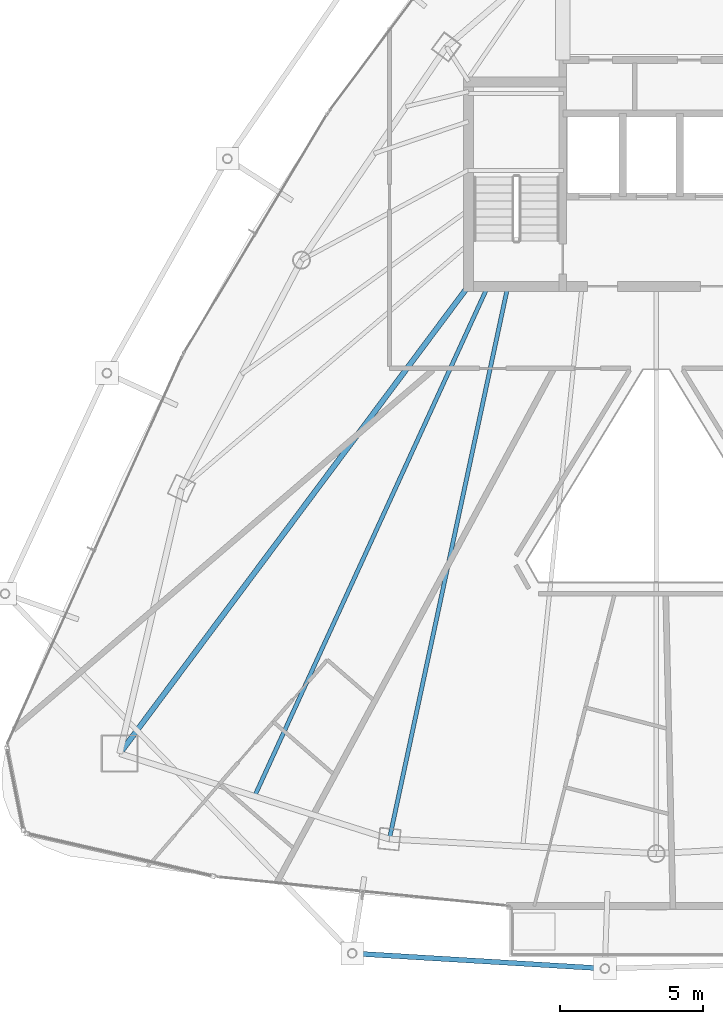
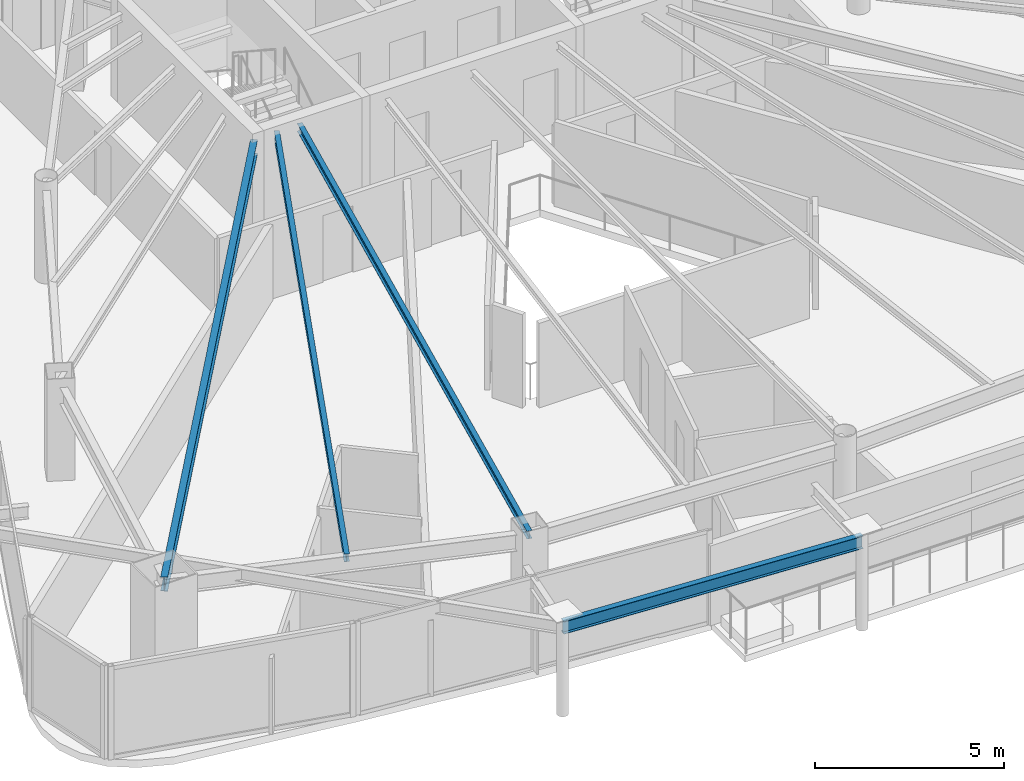
# One storey, part 6 of 30: 4 beams.
"""IFC4 building model written with IfcOpenShell, lengths in metres."""

import ifcopenshell
import ifcopenshell.guid

model = None  # the IFC model being written
_history = None  # IfcOwnerHistory: only IFC2X3 demands one
_inside = {}  # id of a spatial element -> (the spatial element, [elements in it])
_under = {}  # id of a project, library or spatial element -> (it, [spatial elements below it])
_declared = {}  # id of a project -> (the project, [libraries it declares])
_typed = {}  # id of a type object -> (the type object, [elements of that type])
_made_of = {}  # id of a material, layer set ... -> (it, [elements and type objects made of it])


def new_model(schema):
    """Start an empty IFC model of exactly this schema.

    Asked for "IFC4X3", IfcOpenShell would pick the latest addendum, in which some entities
    have other attributes; the version numbers below select the first issue.
    IFC2X3 requires an IfcOwnerHistory on every rooted entity: one is made here for all.
    """
    global model, _history
    if schema == "IFC4X3":
        model = ifcopenshell.file(schema_version=(4, 3, 0, 0))
    else:
        model = ifcopenshell.file(schema=schema)
    _inside.clear()
    _under.clear()
    _declared.clear()
    _typed.clear()
    _made_of.clear()
    _history = None
    if model.schema == "IFC2X3":
        org = make("IfcOrganization", Name="unknown")
        user = make(
            "IfcPersonAndOrganization",
            ThePerson=make("IfcPerson", FamilyName="unknown"),
            TheOrganization=org,
        )
        app = make(
            "IfcApplication",
            ApplicationDeveloper=org,
            Version="unknown",
            ApplicationFullName="unknown",
            ApplicationIdentifier="unknown",
        )
        _history = make(
            "IfcOwnerHistory",
            OwningUser=user,
            OwningApplication=app,
            ChangeAction="ADDED",
            CreationDate=0,
        )
    return model


def make(cls, **values):
    """One entity of the class cls with the attributes given. An attribute that is None is left unset."""
    return model.create_entity(
        cls, **{name: value for name, value in values.items() if value is not None}
    )


def rooted(cls, **values):
    """An entity with a GlobalId (a new one), such as an element, a storey or a relation."""
    return make(cls, GlobalId=ifcopenshell.guid.new(), OwnerHistory=_history, **values)


def si_unit(unit_type, name, prefix=None):
    """IfcSIUnit, for example si_unit("LENGTHUNIT", "METRE", prefix="MILLI")."""
    return make("IfcSIUnit", UnitType=unit_type, Prefix=prefix, Name=name)


def assignment(units):
    """IfcUnitAssignment: the units of a project."""
    return None if units is None else make("IfcUnitAssignment", Units=units)


def point(xyz):
    """IfcCartesianPoint."""
    return None if xyz is None else make("IfcCartesianPoint", Coordinates=xyz)


def direction(xyz):
    """IfcDirection."""
    return None if xyz is None else make("IfcDirection", DirectionRatios=xyz)


def frame(location, z_axis=None, x_axis=None):
    """IfcAxis2Placement3D, a coordinate frame: its origin and axes. An axis left out is left unset."""
    return make(
        "IfcAxis2Placement3D",
        Location=point(location),
        Axis=direction(z_axis),
        RefDirection=direction(x_axis),
    )


def frame_2d(location, x_axis=None):
    """IfcAxis2Placement2D, a coordinate frame in the plane: its origin and x axis."""
    return make(
        "IfcAxis2Placement2D", Location=point(location), RefDirection=direction(x_axis)
    )


def origin():
    """The frame at (0, 0, 0) with its axes left unset."""
    return frame((0.0, 0.0, 0.0))


def origin_2d():
    """The frame at (0, 0) in the plane with its x axis left unset."""
    return frame_2d((0.0, 0.0))


def place(relative_to, where):
    """IfcLocalPlacement: puts the frame where relative to a parent placement (None: the world)."""
    return make(
        "IfcLocalPlacement", PlacementRelTo=relative_to, RelativePlacement=where
    )


def context(
    kind, dimensions, precision=None, world=None, true_north=None, identifier=None
):
    """IfcGeometricRepresentationContext, for example the 3D "Model" context."""
    return make(
        "IfcGeometricRepresentationContext",
        ContextIdentifier=identifier,
        ContextType=kind,
        CoordinateSpaceDimension=dimensions,
        Precision=precision,
        WorldCoordinateSystem=world,
        TrueNorth=true_north,
    )


def subcontext(parent, identifier, kind, view, scale=None):
    """IfcGeometricRepresentationSubContext, for example "Body" below "Model"."""
    return make(
        "IfcGeometricRepresentationSubContext",
        ContextIdentifier=identifier,
        ContextType=kind,
        ParentContext=parent,
        TargetScale=scale,
        TargetView=view,
    )


def project(units=None, contexts=None):
    """IfcProject with its units and contexts."""
    return rooted(
        "IfcProject",
        Name="project",
        RepresentationContexts=contexts,
        UnitsInContext=assignment(units),
    )


def spatial(cls, under=None, at=None, **own):
    """A site, building, storey or space (cls), placed at a placement, below another one or the project."""
    s = rooted(cls, ObjectPlacement=at, **own)
    if under is not None:
        _under.setdefault(under.id(), (under, []))[1].append(s)
    return s


def profile(cls, at=None, kind="AREA", **sizes):
    """A parametric profile (cls). Its sizes go by their IFC names, for example OverallWidth=200.0."""
    return make(cls, ProfileType=kind, Position=at, **sizes)


def i_section(**sizes):
    """IfcIShapeProfileDef."""
    return profile("IfcIShapeProfileDef", **sizes)


def extrude(swept, where, along, depth):
    """IfcExtrudedAreaSolid: the profile swept, set in the frame where, extruded along a direction by depth."""
    return make(
        "IfcExtrudedAreaSolid",
        SweptArea=swept,
        Position=where,
        ExtrudedDirection=direction(along),
        Depth=depth,
    )


def shape(context_of_items, identifier, shape_type, items):
    """IfcShapeRepresentation: the items that make up one representation, for example the "Body"."""
    return make(
        "IfcShapeRepresentation",
        ContextOfItems=context_of_items,
        RepresentationIdentifier=identifier,
        RepresentationType=shape_type,
        Items=items,
    )


def material(Name=None, Category=None):
    """IfcMaterial."""
    return make("IfcMaterial", Name=Name, Category=Category)


def material_profile(
    of_material, cross_section, Name=None, Category=None, Priority=None
):
    """IfcMaterialProfile: a cross section and its material."""
    return make(
        "IfcMaterialProfile",
        Name=Name,
        Material=of_material,
        Profile=cross_section,
        Priority=Priority,
        Category=Category,
    )


def profile_set(profiles, Name=None, composite=None):
    """IfcMaterialProfileSet."""
    return make(
        "IfcMaterialProfileSet",
        Name=Name,
        MaterialProfiles=profiles,
        CompositeProfile=composite,
    )


def made_of(thing, what):
    """Note that an element or type object is made of a material, layer set ...; save() writes the relation."""
    if what is not None:
        _made_of.setdefault(what.id(), (what, []))[1].append(thing)
    return thing


def type_object(cls, material=None, **own):
    """A type object (cls), such as IfcWallType, which elements share."""
    return made_of(rooted(cls, **own), material)


def element(
    cls,
    number,
    at=None,
    inside=None,
    cuts=None,
    type_object=None,
    material=None,
    context=None,
    identifier="Body",
    shape_type=None,
    held_by="IfcProductDefinitionShape",
    body=None,
    shapes=None,
    **own,
):
    """One element of the class cls, such as IfcWall. Its Tag is "e" and its number.

    at: its placement. inside: the storey or other place that contains it. cuts: it is an
    opening in that element (IfcRelVoidsElement). A single representation is given by context,
    identifier, shape_type and body (its items); several are given by shapes. held_by: the class
    of the entity that holds the representations. save() writes the other relations.
    """
    e = rooted(cls, Tag="e%d" % number, ObjectPlacement=at, **own)
    if body is not None:
        shapes = [shape(context, identifier, shape_type, body)]
    if shapes is not None:
        e.Representation = make(held_by, Representations=shapes)
    if inside is not None:
        _inside.setdefault(inside.id(), (inside, []))[1].append(e)
    if cuts is not None:
        rooted(
            "IfcRelVoidsElement", RelatingBuildingElement=cuts, RelatedOpeningElement=e
        )
    if type_object is not None:
        _typed.setdefault(type_object.id(), (type_object, []))[1].append(e)
    return made_of(e, material)


def aggregate(whole, parts):
    """IfcRelAggregates: a whole, such as a stair, and the parts it consists of."""
    return rooted("IfcRelAggregates", RelatingObject=whole, RelatedObjects=parts)


def save(model, path):
    """Write the relations noted so far, then the file.

    IfcRelAggregates (storeys below a building ...), IfcRelContainedInSpatialStructure (elements
    in a storey), IfcRelDefinesByType, IfcRelAssociatesMaterial and IfcRelDeclares: one each for
    every whole, place, type object, material and project.
    """
    for whole, parts in _under.values():
        aggregate(whole, parts)
    for where, things in _inside.values():
        rooted(
            "IfcRelContainedInSpatialStructure",
            RelatedElements=things,
            RelatingStructure=where,
        )
    for kind, things in _typed.values():
        rooted("IfcRelDefinesByType", RelatedObjects=things, RelatingType=kind)
    for what, things in _made_of.values():
        rooted("IfcRelAssociatesMaterial", RelatedObjects=things, RelatingMaterial=what)
    for by, libraries in _declared.values():
        rooted("IfcRelDeclares", RelatingContext=by, RelatedDefinitions=libraries)
    model.write(path)


model = new_model("IFC4")

# Units and contexts
model_context = context("Model", 3, precision=1e-05, world=origin(), true_north=direction((0.0, 1.0)))
body_context = subcontext(model_context, "Body", "Model", "MODEL_VIEW")
ifc_project = project(units=[si_unit("LENGTHUNIT", "METRE"), si_unit("AREAUNIT", "SQUARE_METRE"), si_unit("VOLUMEUNIT", "CUBIC_METRE"), si_unit("PLANEANGLEUNIT", "RADIAN"), si_unit("MASSUNIT", "GRAM", prefix="KILO")], contexts=[model_context])

# Site, building, storey
site_placement = place(None, origin())
site = spatial("IfcSite", under=ifc_project, at=site_placement, CompositionType="ELEMENT")
building_placement = place(site_placement, origin())
building = spatial("IfcBuilding", under=site, at=building_placement, Name="Orvanel Arch Residences", CompositionType="ELEMENT")
storey_placement = place(building_placement, frame((0.0, 0.0, 232.699951171875)))
storey = spatial("IfcBuildingStorey", under=building, at=storey_placement, Name="L66", CompositionType="ELEMENT", Elevation=232.699951171875)

# Beams
ifc_material = material(Name="Structural steel AS/NZS 3679.1 Grade 300 (300 MPa)", Category="steel")
ifc_material_profile_1 = material_profile(ifc_material, i_section(OverallWidth=0.19091796875, OverallDepth=0.4599609375, WebThickness=0.010009765625, FlangeThickness=0.01611328125, at=origin_2d()), Name="460UB82.1")
ifc_profile_set_1 = profile_set([ifc_material_profile_1], Name="Structural steel AS/NZS 3679.1 Grade 300 (300 MPa)")
beam_type_1 = type_object("IfcBeamType", Name="BG-460UB", PredefinedType="BEAM", material=ifc_profile_set_1)
beam_1_placement = place(storey_placement, frame((26.375, 26.675048828125, 2.7900390625), z_axis=(-0.597893733742, -0.801575375839, 0.0), x_axis=(0.801575375839, -0.597893733742, 0.0)))
element("IfcBeam", 1, at=beam_1_placement, inside=storey, type_object=beam_type_1, Name="L66 South-West Radial Girder", PredefinedType="BEAM", context=body_context, shape_type="SweptSolid", body=[
    extrude(i_section(OverallWidth=0.19091796875, OverallDepth=0.4599609375, WebThickness=0.010009765625, FlangeThickness=0.01611328125, at=origin_2d()), origin(), (0.0, 0.0, 1.0), 20.36474609375),
])
ifc_material_profile_2 = material_profile(ifc_material, i_section(OverallWidth=0.14599609375, OverallDepth=0.251953125, WebThickness=0.006103515625, FlangeThickness=0.008544921875, at=origin_2d()), Name="250UB31.4")
ifc_profile_set_2 = profile_set([ifc_material_profile_2], Name="Structural steel AS/NZS 3679.1 Grade 300 (300 MPa)")
beam_type_2 = type_object("IfcBeamType", Name="BJ-250UB", PredefinedType="JOIST", material=ifc_profile_set_2)
beam_2_placement = place(storey_placement, frame((27.800048828125, 26.72509765625, 2.89404296875), z_axis=(-0.209547604985, -0.977798446125, 0.0), x_axis=(0.977798446125, -0.209547604985, 0.0)))
element("IfcBeam", 2, at=beam_2_placement, inside=storey, type_object=beam_type_2, Name="L66 SW Wing Floor Joist", PredefinedType="JOIST", context=body_context, shape_type="SweptSolid", body=[
    extrude(i_section(OverallWidth=0.14599609375, OverallDepth=0.251953125, WebThickness=0.006103515625, FlangeThickness=0.008544921875, at=origin_2d()), origin(), (0.0, 0.0, 1.0), 19.809814453125),
])
beam_3_placement = place(storey_placement, frame((27.10009765625, 26.72509765625, 2.89404296875), z_axis=(-0.416009574066, -0.909360233508, 0.0), x_axis=(0.909360233508, -0.416009574066, 0.0)))
element("IfcBeam", 3, at=beam_3_placement, inside=storey, type_object=beam_type_2, Name="L66 JADD1 Wing Floor Joist", PredefinedType="JOIST", context=body_context, shape_type="SweptSolid", body=[
    extrude(i_section(OverallWidth=0.14599609375, OverallDepth=0.251953125, WebThickness=0.006103515625, FlangeThickness=0.008544921875, at=origin_2d()), origin(), (0.0, 0.0, 1.0), 19.653564453125),
])
ifc_material_profile_3 = material_profile(ifc_material, i_section(OverallWidth=0.177978515625, OverallDepth=0.406005859375, WebThickness=0.0078125, FlangeThickness=0.0126953125, at=origin_2d()), Name="410UB59.7")
ifc_profile_set_3 = profile_set([ifc_material_profile_3], Name="Structural steel AS/NZS 3679.1 Grade 300 (300 MPa)")
beam_type_3 = type_object("IfcBeamType", Name="OB-410UB-EXT", PredefinedType="SPANDREL", material=ifc_profile_set_3)
beam_4_placement = place(storey_placement, frame((22.346923828125, 3.35009765625, 2.817138671875), z_axis=(0.998190795138, -0.060126005201, 0.0), x_axis=(0.060126005201, 0.998190795138, 0.0)))
element("IfcBeam", 4, at=beam_4_placement, inside=storey, type_object=beam_type_3, Name="L66 Outer Perimeter Floor Ring Beam 05", PredefinedType="SPANDREL", context=body_context, shape_type="SweptSolid", body=[
    extrude(i_section(OverallWidth=0.177978515625, OverallDepth=0.406005859375, WebThickness=0.0078125, FlangeThickness=0.0126953125, at=origin_2d()), origin(), (0.0, 0.0, 1.0), 8.8681640625),
])

save(model, "model.ifc")
